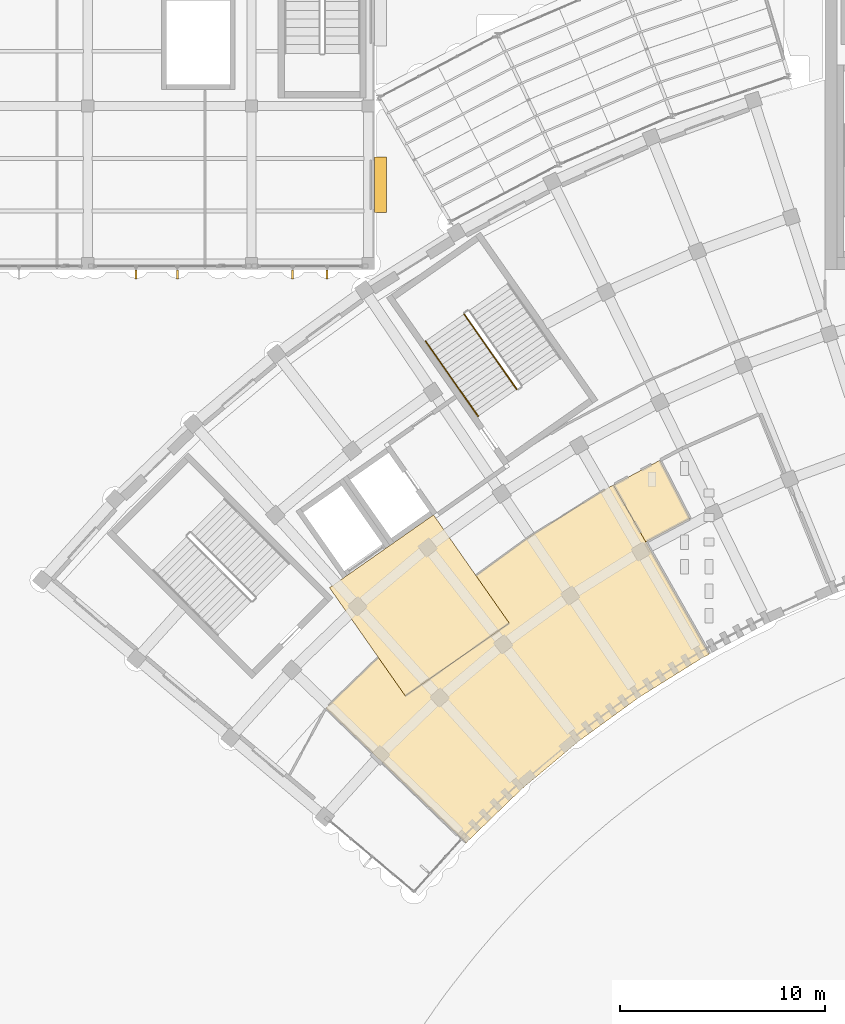
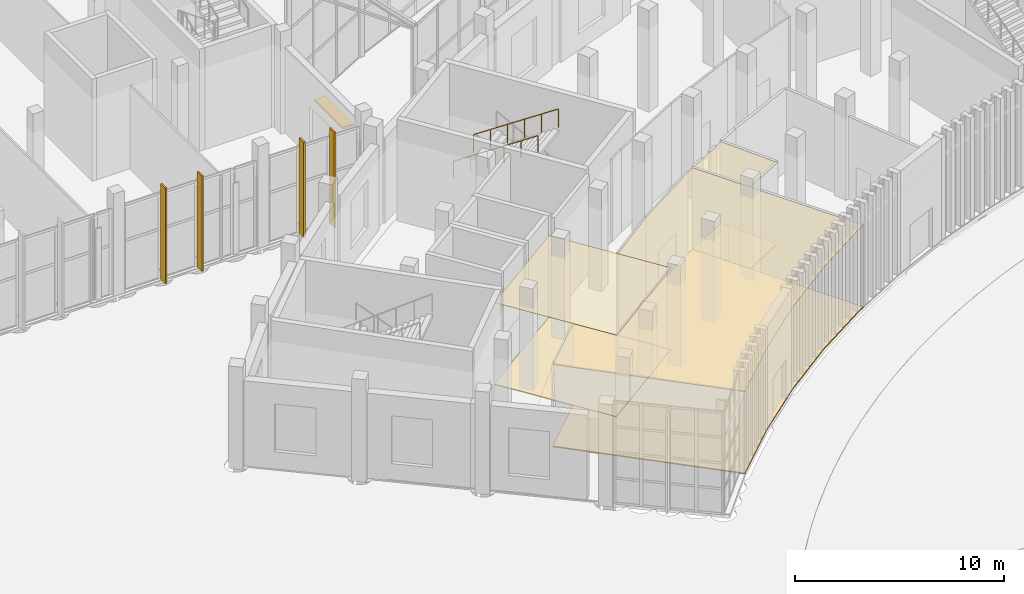
# One storey, part 119 of 155: 6 coverings, 5 shading devices, 2 railings.
"""IFC4 building model written with IfcOpenShell, lengths in metres."""

from ifc_helpers import new_model, si_unit, direction, frame, origin, origin_2d, place, context, subcontext, project, spatial, polyline, rectangle, circle, outline, extrude, material, layer, layer_set, type_object, element, save


model = new_model("IFC4")

# Units and contexts
model_context = context("Model", 3, precision=1e-05, world=origin(), true_north=direction((0.0, 1.0)))
body_context = subcontext(model_context, "Body", "Model", "MODEL_VIEW")
ifc_project = project(units=[si_unit("LENGTHUNIT", "METRE"), si_unit("AREAUNIT", "SQUARE_METRE"), si_unit("VOLUMEUNIT", "CUBIC_METRE"), si_unit("PLANEANGLEUNIT", "RADIAN"), si_unit("MASSUNIT", "GRAM", prefix="KILO")], contexts=[model_context])

# Site, building, storey
site_placement = place(None, origin())
site = spatial("IfcSite", under=ifc_project, at=site_placement, CompositionType="ELEMENT")
building_placement = place(site_placement, origin())
building = spatial("IfcBuilding", under=site, at=building_placement, Name="Lunette Opera House", CompositionType="ELEMENT")
storey_placement = place(building_placement, origin())
storey = spatial("IfcBuildingStorey", under=building, at=storey_placement, Name="L00", CompositionType="ELEMENT", Elevation=0.0)

# Shading devices
ifc_material_1 = material(Name="Powder-coated aluminium", Category="aluminium")
shading_device_type_1 = type_object("IfcShadingDeviceType", Name="SOLAR FIN 100 X 450", PredefinedType="USERDEFINED", material=ifc_material_1)
for number, where, z_axis, x_axis, name in (
    (1, (42.35107421875, 63.76806640625, 0.114501953125), (0.0, 0.0, 1.0), (0.0, -1.0, 0.0), "Solar fin RW-X2012 1"),
    (2, (44.373046875, 63.76806640625, 0.114501953125), (0.0, 0.0, 1.0), (0.0, -1.0, 0.0), "Solar fin RW-X2012 2"),
    (3, (50.010009765625, 63.76806640625, 0.114501953125), (0.0, 0.0, 1.0), (0.0, -1.0, 0.0), "Solar fin RW-X2014 1"),
    (4, (51.68994140625, 63.76806640625, 0.114501953125), (0.0, 0.0, 1.0), (0.0, -1.0, 0.0), "Solar fin RW-X2014 2"),
):
    element("IfcShadingDevice", number, at=place(storey_placement, frame(where, z_axis=z_axis, x_axis=x_axis)), inside=storey, type_object=shading_device_type_1, Name=name, ObjectType="SOLAR FIN", PredefinedType="USERDEFINED", context=body_context, shape_type="SweptSolid", body=[
        extrude(rectangle(XDim=0.449951171875, YDim=0.10009765625, at=origin_2d()), origin(), (0.0, 0.0, 1.0), 5.5849609375),
    ])

# Railings
ifc_material_2 = material(Name="Steel S355", Category="steel")
railing_type_1 = type_object("IfcRailingType", Name="STAIR GUARD 1100", PredefinedType="GUARDRAIL", material=ifc_material_2)
railing_1_placement = place(storey_placement, frame((58.37939453125, 61.83447265625, 3.176513671875)))
element("IfcRailing", 5, at=railing_1_placement, inside=storey, type_object=railing_type_1, Name="L00 ST2 stair guard 3", PredefinedType="GUARDRAIL", context=body_context, shape_type="SweptSolid", body=[
    extrude(circle(Radius=0.02392578125, at=origin_2d()), frame((0.0, 0.0, 1.076171875), z_axis=(0.485196054089, -0.693031840086, 0.533190076543), x_axis=(0.819190954639, 0.573520862601, 0.0)), (0.0, 0.0, 1.0), 5.29541015625),
    extrude(circle(Radius=0.02099609375, at=origin_2d()), origin(), (0.0, 0.0, 1.0), 1.052001953125),
    extrude(circle(Radius=0.02099609375, at=origin_2d()), frame((0.513916015625, -0.73388671875, 0.564697265625)), (0.0, 0.0, 1.0), 1.052001953125),
    extrude(circle(Radius=0.02099609375, at=origin_2d()), frame((1.02783203125, -1.468017578125, 1.12939453125)), (0.0, 0.0, 1.0), 1.052001953125),
    extrude(circle(Radius=0.02099609375, at=origin_2d()), frame((1.54150390625, -2.201904296875, 1.694091796875)), (0.0, 0.0, 1.0), 1.052001953125),
    extrude(circle(Radius=0.02099609375, at=origin_2d()), frame((2.055419921875, -2.93603515625, 2.2587890625)), (0.0, 0.0, 1.0), 1.052001953125),
    extrude(circle(Radius=0.02099609375, at=origin_2d()), frame((2.5693359375, -3.669921875, 2.823486328125)), (0.0, 0.0, 1.0), 1.052001953125),
])
ifc_material_3 = material(Name="Steel S355", Category="steel")
railing_type_2 = type_object("IfcRailingType", Name="STAIR HANDRAIL 1000", PredefinedType="HANDRAIL", material=ifc_material_3)
railing_2_placement = place(storey_placement, frame((56.495361328125, 60.515380859375, 3.176513671875)))
element("IfcRailing", 6, at=railing_2_placement, inside=storey, type_object=railing_type_2, Name="L00 ST2 stair handrail 2", PredefinedType="HANDRAIL", context=body_context, shape_type="SweptSolid", body=[
    extrude(circle(Radius=0.02392578125, at=origin_2d()), frame((0.0, 0.0, 0.97607421875), z_axis=(0.485196054089, -0.693031840086, 0.533190076543), x_axis=(0.819190954639, 0.573520862601, 0.0)), (0.0, 0.0, 1.0), 5.29541015625),
    extrude(circle(Radius=0.02099609375, at=origin_2d()), origin(), (0.0, 0.0, 1.0), 0.951904296875),
    extrude(circle(Radius=0.02099609375, at=origin_2d()), frame((0.513916015625, -0.73388671875, 0.564697265625)), (0.0, 0.0, 1.0), 0.951904296875),
    extrude(circle(Radius=0.02099609375, at=origin_2d()), frame((1.02783203125, -1.468017578125, 1.12939453125)), (0.0, 0.0, 1.0), 0.951904296875),
    extrude(circle(Radius=0.02099609375, at=origin_2d()), frame((1.54150390625, -2.201904296875, 1.694091796875)), (0.0, 0.0, 1.0), 0.951904296875),
    extrude(circle(Radius=0.02099609375, at=origin_2d()), frame((2.055419921875, -2.93603515625, 2.2587890625)), (0.0, 0.0, 1.0), 0.951904296875),
    extrude(circle(Radius=0.02099609375, at=origin_2d()), frame((2.5693359375, -3.669921875, 2.823486328125)), (0.0, 0.0, 1.0), 0.951904296875),
])

# Coverings
ifc_material_4 = material(Name="Mineral fibre board")
ifc_layer_1 = layer(ifc_material_4, 0.014892578125)
ifc_layer_set_1 = layer_set([ifc_layer_1], Name="Mineral fibre board")
covering_type_1 = type_object("IfcCoveringType", Name="SUSPENDED ACOUSTIC CEILING 15", PredefinedType="CEILING", material=ifc_layer_set_1)
covering_1_placement = place(storey_placement, frame((0.0, 0.0, 4.81494140625)))
element("IfcCovering", 7, at=covering_1_placement, inside=storey, type_object=covering_type_1, Name="Ceiling Open Lift Lobby West", PredefinedType="CEILING", context=body_context, shape_type="SweptSolid", body=[
    extrude(outline(polyline([(60.5859375, 46.739990234375), (56.886962890625, 52.02392578125), (51.80810546875, 48.468017578125), (55.508056640625, 43.18408203125), (60.5859375, 46.739990234375)])), origin(), (0.0, 0.0, 1.0), 0.01513671875),
])
covering_2_placement = place(storey_placement, frame((0.0, 0.0, 4.81494140625)))
element("IfcCovering", 8, at=covering_2_placement, inside=storey, type_object=covering_type_1, Name="Ceiling Ticket Hall", PredefinedType="CEILING", context=body_context, shape_type="SweptSolid", body=[
    extrude(outline(polyline([(67.159912109375, 43.259033203125), (66.922119140625, 43.110107421875), (63.986083984375, 40.97705078125), (61.205078125, 38.64404296875), (58.593994140625, 36.1220703125), (58.490966796875, 36.007080078125), (51.637939453125, 42.5849609375), (51.760986328125, 42.720947265625), (54.18896484375, 45.06689453125), (55.508056640625, 43.18408203125), (60.5859375, 46.739990234375), (58.9609375, 49.06103515625), (61.610107421875, 50.986083984375), (65.25, 53.260986328125), (65.676025390625, 53.487060546875), (70.360107421875, 45.22509765625), (70.0, 45.032958984375), (67.159912109375, 43.259033203125)])), origin(), (0.0, 0.0, 1.0), 0.01513671875),
])
covering_3_placement = place(storey_placement, frame((0.0, 0.0, 4.81494140625)))
element("IfcCovering", 9, at=covering_3_placement, inside=storey, type_object=covering_type_1, Name="Ceiling Accessible WC Foyer", PredefinedType="CEILING", context=body_context, shape_type="SweptSolid", body=[
    extrude(outline(polyline([(66.39599609375, 53.8701171875), (67.944091796875, 54.693115234375), (69.404052734375, 51.846923828125), (67.25390625, 50.7041015625), (65.676025390625, 53.487060546875), (66.39599609375, 53.8701171875)])), origin(), (0.0, 0.0, 1.0), 0.01513671875),
])
ifc_material_5 = material(Name="Terrazzo")
ifc_layer_2 = layer(ifc_material_5, 0.06005859375)
ifc_layer_set_2 = layer_set([ifc_layer_2], Name="Terrazzo")
covering_type_2 = type_object("IfcCoveringType", Name="TERRAZZO FLOOR FINISH 60", PredefinedType="FLOORING", material=ifc_layer_set_2)
covering_4_placement = place(storey_placement, origin())
element("IfcCovering", 10, at=covering_4_placement, inside=storey, type_object=covering_type_2, Name="Floor finish Open Lift Lobby West", PredefinedType="FLOORING", context=body_context, shape_type="SweptSolid", body=[
    extrude(outline(polyline([(60.5859375, 46.739990234375), (56.886962890625, 52.02392578125), (51.80810546875, 48.468017578125), (55.508056640625, 43.18408203125), (60.5859375, 46.739990234375)])), origin(), (0.0, 0.0, 1.0), 0.06005859375),
])
covering_5_placement = place(storey_placement, origin())
element("IfcCovering", 11, at=covering_5_placement, inside=storey, type_object=covering_type_2, Name="Floor finish Ticket Hall", PredefinedType="FLOORING", context=body_context, shape_type="SweptSolid", body=[
    extrude(outline(polyline([(67.159912109375, 43.259033203125), (66.922119140625, 43.110107421875), (63.986083984375, 40.97705078125), (61.205078125, 38.64404296875), (58.593994140625, 36.1220703125), (58.490966796875, 36.007080078125), (51.637939453125, 42.5849609375), (51.760986328125, 42.720947265625), (54.18896484375, 45.06689453125), (55.508056640625, 43.18408203125), (60.5859375, 46.739990234375), (58.9609375, 49.06103515625), (61.610107421875, 50.986083984375), (65.25, 53.260986328125), (65.676025390625, 53.487060546875), (70.360107421875, 45.22509765625), (70.0, 45.032958984375), (67.159912109375, 43.259033203125)])), origin(), (0.0, 0.0, 1.0), 0.06005859375),
])
covering_6_placement = place(storey_placement, origin())
element("IfcCovering", 12, at=covering_6_placement, inside=storey, type_object=covering_type_2, Name="Floor finish Accessible WC Foyer", PredefinedType="FLOORING", context=body_context, shape_type="SweptSolid", body=[
    extrude(outline(polyline([(66.39599609375, 53.8701171875), (67.944091796875, 54.693115234375), (69.404052734375, 51.846923828125), (67.25390625, 50.7041015625), (65.676025390625, 53.487060546875), (66.39599609375, 53.8701171875)])), origin(), (0.0, 0.0, 1.0), 0.06005859375),
])

# Shading device
ifc_material_6 = material(Name="Powder-coated aluminium", Category="aluminium")
ifc_layer_3 = layer(ifc_material_6, 0.1201171875)
ifc_layer_set_3 = layer_set([ifc_layer_3], Name="Powder-coated aluminium")
shading_device_type_2 = type_object("IfcShadingDeviceType", Name="WINDOW HOOD 600 X 2700", PredefinedType="USERDEFINED", material=ifc_layer_set_3)
shading_device_placement = place(storey_placement, frame((54.300048828125, 68.14990234375, 3.079833984375), z_axis=(0.0, 0.0, 1.0), x_axis=(1.0, 0.0, 0.0)))
element("IfcShadingDevice", 13, at=shading_device_placement, inside=storey, type_object=shading_device_type_2, Name="Window hood RW-N2007", ObjectType="WINDOW HOOD", PredefinedType="USERDEFINED", context=body_context, shape_type="SweptSolid", body=[
    extrude(rectangle(XDim=0.60009765625, YDim=2.699951171875, at=origin_2d()), origin(), (0.0, 0.0, 1.0), 0.1201171875),
])

save(model, "model.ifc")
